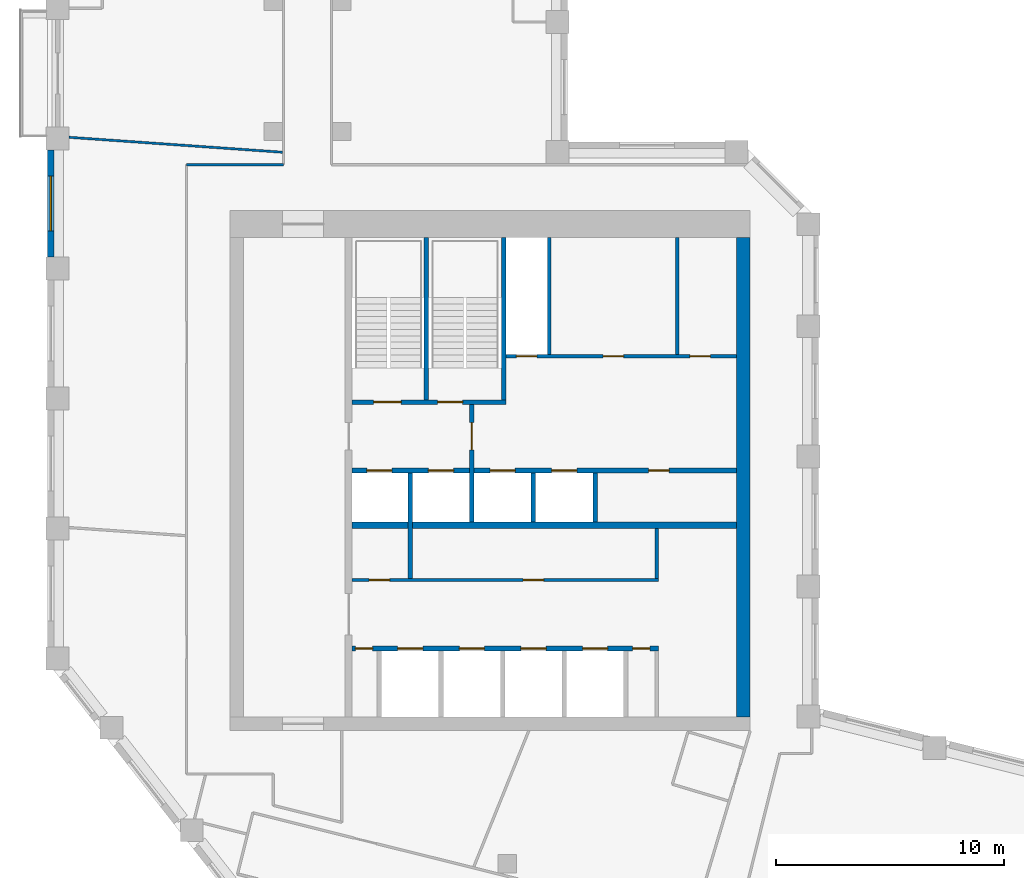
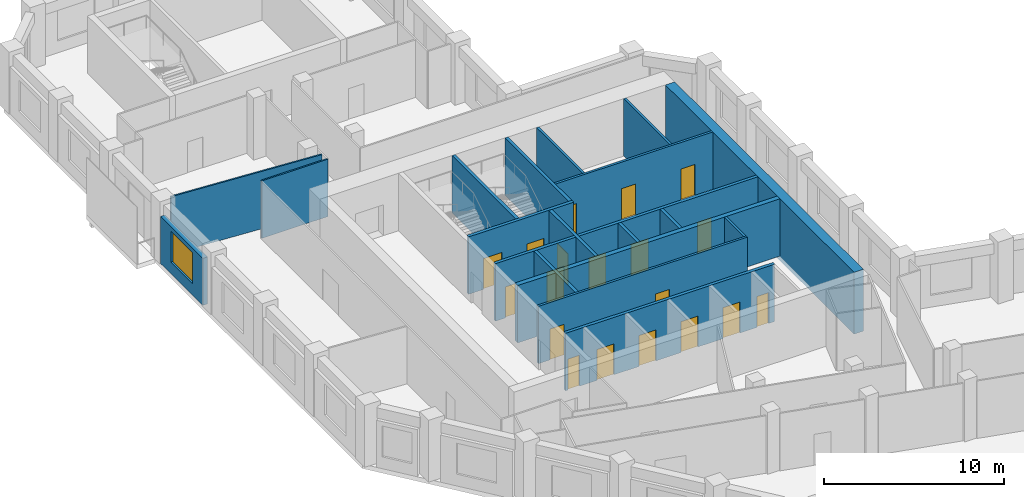
# One storey, part 5 of 9: 19 doors, 19 walls, 1 window, 20 openings.
"""IFC4 building model written with IfcOpenShell, lengths in metres."""

import ifcopenshell
import ifcopenshell.guid

model = None  # the IFC model being written
_history = None  # IfcOwnerHistory: only IFC2X3 demands one
_inside = {}  # id of a spatial element -> (the spatial element, [elements in it])
_under = {}  # id of a project, library or spatial element -> (it, [spatial elements below it])
_declared = {}  # id of a project -> (the project, [libraries it declares])
_typed = {}  # id of a type object -> (the type object, [elements of that type])
_made_of = {}  # id of a material, layer set ... -> (it, [elements and type objects made of it])


def new_model(schema):
    """Start an empty IFC model of exactly this schema.

    Asked for "IFC4X3", IfcOpenShell would pick the latest addendum, in which some entities
    have other attributes; the version numbers below select the first issue.
    IFC2X3 requires an IfcOwnerHistory on every rooted entity: one is made here for all.
    """
    global model, _history
    if schema == "IFC4X3":
        model = ifcopenshell.file(schema_version=(4, 3, 0, 0))
    else:
        model = ifcopenshell.file(schema=schema)
    _inside.clear()
    _under.clear()
    _declared.clear()
    _typed.clear()
    _made_of.clear()
    _history = None
    if model.schema == "IFC2X3":
        org = make("IfcOrganization", Name="unknown")
        user = make(
            "IfcPersonAndOrganization",
            ThePerson=make("IfcPerson", FamilyName="unknown"),
            TheOrganization=org,
        )
        app = make(
            "IfcApplication",
            ApplicationDeveloper=org,
            Version="unknown",
            ApplicationFullName="unknown",
            ApplicationIdentifier="unknown",
        )
        _history = make(
            "IfcOwnerHistory",
            OwningUser=user,
            OwningApplication=app,
            ChangeAction="ADDED",
            CreationDate=0,
        )
    return model


def make(cls, **values):
    """One entity of the class cls with the attributes given. An attribute that is None is left unset."""
    return model.create_entity(
        cls, **{name: value for name, value in values.items() if value is not None}
    )


def rooted(cls, **values):
    """An entity with a GlobalId (a new one), such as an element, a storey or a relation."""
    return make(cls, GlobalId=ifcopenshell.guid.new(), OwnerHistory=_history, **values)


def si_unit(unit_type, name, prefix=None):
    """IfcSIUnit, for example si_unit("LENGTHUNIT", "METRE", prefix="MILLI")."""
    return make("IfcSIUnit", UnitType=unit_type, Prefix=prefix, Name=name)


def assignment(units):
    """IfcUnitAssignment: the units of a project."""
    return None if units is None else make("IfcUnitAssignment", Units=units)


def point(xyz):
    """IfcCartesianPoint."""
    return None if xyz is None else make("IfcCartesianPoint", Coordinates=xyz)


def direction(xyz):
    """IfcDirection."""
    return None if xyz is None else make("IfcDirection", DirectionRatios=xyz)


def frame(location, z_axis=None, x_axis=None):
    """IfcAxis2Placement3D, a coordinate frame: its origin and axes. An axis left out is left unset."""
    return make(
        "IfcAxis2Placement3D",
        Location=point(location),
        Axis=direction(z_axis),
        RefDirection=direction(x_axis),
    )


def frame_2d(location, x_axis=None):
    """IfcAxis2Placement2D, a coordinate frame in the plane: its origin and x axis."""
    return make(
        "IfcAxis2Placement2D", Location=point(location), RefDirection=direction(x_axis)
    )


def origin():
    """The frame at (0, 0, 0) with its axes left unset."""
    return frame((0.0, 0.0, 0.0))


def place(relative_to, where):
    """IfcLocalPlacement: puts the frame where relative to a parent placement (None: the world)."""
    return make(
        "IfcLocalPlacement", PlacementRelTo=relative_to, RelativePlacement=where
    )


def context(
    kind, dimensions, precision=None, world=None, true_north=None, identifier=None
):
    """IfcGeometricRepresentationContext, for example the 3D "Model" context."""
    return make(
        "IfcGeometricRepresentationContext",
        ContextIdentifier=identifier,
        ContextType=kind,
        CoordinateSpaceDimension=dimensions,
        Precision=precision,
        WorldCoordinateSystem=world,
        TrueNorth=true_north,
    )


def subcontext(parent, identifier, kind, view, scale=None):
    """IfcGeometricRepresentationSubContext, for example "Body" below "Model"."""
    return make(
        "IfcGeometricRepresentationSubContext",
        ContextIdentifier=identifier,
        ContextType=kind,
        ParentContext=parent,
        TargetScale=scale,
        TargetView=view,
    )


def project(units=None, contexts=None):
    """IfcProject with its units and contexts."""
    return rooted(
        "IfcProject",
        Name="project",
        RepresentationContexts=contexts,
        UnitsInContext=assignment(units),
    )


def spatial(cls, under=None, at=None, **own):
    """A site, building, storey or space (cls), placed at a placement, below another one or the project."""
    s = rooted(cls, ObjectPlacement=at, **own)
    if under is not None:
        _under.setdefault(under.id(), (under, []))[1].append(s)
    return s


def profile(cls, at=None, kind="AREA", **sizes):
    """A parametric profile (cls). Its sizes go by their IFC names, for example OverallWidth=200.0."""
    return make(cls, ProfileType=kind, Position=at, **sizes)


def rectangle(**sizes):
    """IfcRectangleProfileDef."""
    return profile("IfcRectangleProfileDef", **sizes)


def extrude(swept, where, along, depth):
    """IfcExtrudedAreaSolid: the profile swept, set in the frame where, extruded along a direction by depth."""
    return make(
        "IfcExtrudedAreaSolid",
        SweptArea=swept,
        Position=where,
        ExtrudedDirection=direction(along),
        Depth=depth,
    )


def shape(context_of_items, identifier, shape_type, items):
    """IfcShapeRepresentation: the items that make up one representation, for example the "Body"."""
    return make(
        "IfcShapeRepresentation",
        ContextOfItems=context_of_items,
        RepresentationIdentifier=identifier,
        RepresentationType=shape_type,
        Items=items,
    )


def material(Name=None, Category=None):
    """IfcMaterial."""
    return make("IfcMaterial", Name=Name, Category=Category)


def layer(
    of_material, thickness, ventilated=None, Name=None, Category=None, Priority=None
):
    """IfcMaterialLayer: one layer of a wall or slab, of a material (None: an air gap)."""
    return make(
        "IfcMaterialLayer",
        Material=of_material,
        LayerThickness=thickness,
        IsVentilated=ventilated,
        Name=Name,
        Category=Category,
        Priority=Priority,
    )


def layer_set(layers, Name=None):
    """IfcMaterialLayerSet."""
    return make("IfcMaterialLayerSet", MaterialLayers=layers, LayerSetName=Name)


def made_of(thing, what):
    """Note that an element or type object is made of a material, layer set ...; save() writes the relation."""
    if what is not None:
        _made_of.setdefault(what.id(), (what, []))[1].append(thing)
    return thing


def type_object(cls, material=None, **own):
    """A type object (cls), such as IfcWallType, which elements share."""
    return made_of(rooted(cls, **own), material)


def element(
    cls,
    number,
    at=None,
    inside=None,
    cuts=None,
    type_object=None,
    material=None,
    context=None,
    identifier="Body",
    shape_type=None,
    held_by="IfcProductDefinitionShape",
    body=None,
    shapes=None,
    **own,
):
    """One element of the class cls, such as IfcWall. Its Tag is "e" and its number.

    at: its placement. inside: the storey or other place that contains it. cuts: it is an
    opening in that element (IfcRelVoidsElement). A single representation is given by context,
    identifier, shape_type and body (its items); several are given by shapes. held_by: the class
    of the entity that holds the representations. save() writes the other relations.
    """
    e = rooted(cls, Tag="e%d" % number, ObjectPlacement=at, **own)
    if body is not None:
        shapes = [shape(context, identifier, shape_type, body)]
    if shapes is not None:
        e.Representation = make(held_by, Representations=shapes)
    if inside is not None:
        _inside.setdefault(inside.id(), (inside, []))[1].append(e)
    if cuts is not None:
        rooted(
            "IfcRelVoidsElement", RelatingBuildingElement=cuts, RelatedOpeningElement=e
        )
    if type_object is not None:
        _typed.setdefault(type_object.id(), (type_object, []))[1].append(e)
    return made_of(e, material)


def fill(opening, filler):
    """IfcRelFillsElement: the door or window that sits in an opening."""
    return rooted(
        "IfcRelFillsElement",
        RelatingOpeningElement=opening,
        RelatedBuildingElement=filler,
    )


def aggregate(whole, parts):
    """IfcRelAggregates: a whole, such as a stair, and the parts it consists of."""
    return rooted("IfcRelAggregates", RelatingObject=whole, RelatedObjects=parts)


def save(model, path):
    """Write the relations noted so far, then the file.

    IfcRelAggregates (storeys below a building ...), IfcRelContainedInSpatialStructure (elements
    in a storey), IfcRelDefinesByType, IfcRelAssociatesMaterial and IfcRelDeclares: one each for
    every whole, place, type object, material and project.
    """
    for whole, parts in _under.values():
        aggregate(whole, parts)
    for where, things in _inside.values():
        rooted(
            "IfcRelContainedInSpatialStructure",
            RelatedElements=things,
            RelatingStructure=where,
        )
    for kind, things in _typed.values():
        rooted("IfcRelDefinesByType", RelatedObjects=things, RelatingType=kind)
    for what, things in _made_of.values():
        rooted("IfcRelAssociatesMaterial", RelatedObjects=things, RelatingMaterial=what)
    for by, libraries in _declared.values():
        rooted("IfcRelDeclares", RelatingContext=by, RelatedDefinitions=libraries)
    model.write(path)


model = new_model("IFC4")

# Units and contexts
model_context = context("Model", 3, precision=1e-05, world=origin(), true_north=direction((0.0, 1.0)))
body_context = subcontext(model_context, "Body", "Model", "MODEL_VIEW")
ifc_project = project(units=[si_unit("LENGTHUNIT", "METRE"), si_unit("AREAUNIT", "SQUARE_METRE"), si_unit("VOLUMEUNIT", "CUBIC_METRE"), si_unit("PLANEANGLEUNIT", "RADIAN"), si_unit("MASSUNIT", "GRAM", prefix="KILO")], contexts=[model_context])

# Site, building, storey
site_placement = place(None, origin())
site = spatial("IfcSite", under=ifc_project, at=site_placement, CompositionType="ELEMENT")
building_placement = place(site_placement, origin())
building = spatial("IfcBuilding", under=site, at=building_placement, Name="Meshkara Civic Tower", CompositionType="ELEMENT")
storey_placement = place(building_placement, frame((0.0, 0.0, 310.800048828125)))
storey = spatial("IfcBuildingStorey", under=building, at=storey_placement, Name="L71", CompositionType="ELEMENT", Elevation=310.800048828125)

# Wall, openings, doors
ifc_material_1 = material(Name="Blockwork", Category="masonry")
ifc_layer_1 = layer(ifc_material_1, 0.14990234375)
ifc_layer_set_1 = layer_set([ifc_layer_1], Name="Core partition 150")
wall_type_1 = type_object("IfcWallType", Name="Core partition 150", PredefinedType="PARTITIONING", material=ifc_layer_set_1)
wall_1_placement = place(storey_placement, frame((13.35009765625, 20.699951171875, 0.0), z_axis=(0.0, 0.0, 1.0), x_axis=(1.0, 0.0, 0.0)))
wall_1 = element("IfcWall", 1, at=wall_1_placement, inside=storey, type_object=wall_type_1, Name="L71-C006", PredefinedType="PARTITIONING", context=body_context, shape_type="SweptSolid", body=[
    extrude(rectangle(XDim=13.4248046875, YDim=0.14990234375, at=frame_2d((6.71240234375, 0.0))), origin(), (0.0, 0.0, 1.0), 3.89990234375),
])
opening_1_placement = place(wall_1_placement, frame((0.75, 0.0, 0.0)))
opening_1 = element("IfcOpeningElement", 2, at=opening_1_placement, cuts=wall_1, Name="Opening L71-K011", PredefinedType="OPENING", context=body_context, shape_type="SweptSolid", body=[
    extrude(rectangle(XDim=0.89990234375, YDim=2.10009765625, at=frame_2d((0.449951171875, 1.050048828125))), frame((0.0, 0.0849609375, 0.0), z_axis=(0.0, -1.0, 0.0), x_axis=(1.0, 0.0, 0.0)), (0.0, 0.0, 1.0), 0.169921875),
])
opening_2_placement = place(wall_1_placement, frame((7.5, 0.0, 0.0)))
opening_2 = element("IfcOpeningElement", 3, at=opening_2_placement, cuts=wall_1, Name="Opening L71-K012", PredefinedType="OPENING", context=body_context, shape_type="SweptSolid", body=[
    extrude(rectangle(XDim=0.89990234375, YDim=2.10009765625, at=frame_2d((0.449951171875, 1.050048828125))), frame((0.0, 0.0849609375, 0.0), z_axis=(0.0, -1.0, 0.0), x_axis=(1.0, 0.0, 0.0)), (0.0, 0.0, 1.0), 0.169921875),
])
ifc_material_2 = material(Name="Timber door leaf in steel frame", Category="steel")
door_type_1 = type_object("IfcDoorType", Name="Core room door 900", OperationType="SINGLE_SWING_LEFT", PredefinedType="DOOR", material=ifc_material_2)
door_1_placement = place(opening_1_placement, origin())
door_1 = element("IfcDoor", 4, at=door_1_placement, inside=storey, type_object=door_type_1, Name="L71-K011", OperationType="SINGLE_SWING_RIGHT", OverallHeight=2.10009765625, OverallWidth=0.89990234375, PredefinedType="DOOR", context=body_context, shape_type="SweptSolid", body=[
    extrude(rectangle(XDim=0.89990234375, YDim=2.10009765625, at=frame_2d((0.449951171875, 1.050048828125))), frame((0.0, 0.02490234375, 0.0), z_axis=(0.0, -1.0, 0.0), x_axis=(1.0, 0.0, 0.0)), (0.0, 0.0, 1.0), 0.050048828125),
])
fill(opening_1, door_1)
door_2_placement = place(opening_2_placement, origin())
door_2 = element("IfcDoor", 5, at=door_2_placement, inside=storey, type_object=door_type_1, Name="L71-K012", OperationType="SINGLE_SWING_LEFT", OverallHeight=2.10009765625, OverallWidth=0.89990234375, PredefinedType="DOOR", context=body_context, shape_type="SweptSolid", body=[
    extrude(rectangle(XDim=0.89990234375, YDim=2.10009765625, at=frame_2d((0.449951171875, 1.050048828125))), frame((0.0, 0.02490234375, 0.0), z_axis=(0.0, -1.0, 0.0), x_axis=(1.0, 0.0, 0.0)), (0.0, 0.0, 1.0), 0.050048828125),
])
fill(opening_2, door_2)

wall_2_placement = place(storey_placement, frame((20.10009765625, 30.5, 0.0), z_axis=(0.0, 0.0, 1.0), x_axis=(1.0, 0.0, 0.0)))
wall_2 = element("IfcWall", 6, at=wall_2_placement, inside=storey, type_object=wall_type_1, Name="L71-C010", PredefinedType="PARTITIONING", context=body_context, shape_type="SweptSolid", body=[
    extrude(rectangle(XDim=10.099853515625, YDim=0.14990234375, at=frame_2d((5.0498046875, 0.0))), origin(), (0.0, 0.0, 1.0), 3.89990234375),
])
opening_3_placement = place(wall_2_placement, frame((0.449951171875, 0.0, 0.0)))
opening_3 = element("IfcOpeningElement", 7, at=opening_3_placement, cuts=wall_2, Name="Opening L71-K014", PredefinedType="OPENING", context=body_context, shape_type="SweptSolid", body=[
    extrude(rectangle(XDim=0.89990234375, YDim=2.10009765625, at=frame_2d((0.449951171875, 1.050048828125))), frame((0.0, 0.0849609375, 0.0), z_axis=(0.0, -1.0, 0.0), x_axis=(1.0, 0.0, 0.0)), (0.0, 0.0, 1.0), 0.169921875),
])
opening_4_placement = place(wall_2_placement, frame((4.25, 0.0, 0.0)))
opening_4 = element("IfcOpeningElement", 8, at=opening_4_placement, cuts=wall_2, Name="Opening L71-K015", PredefinedType="OPENING", context=body_context, shape_type="SweptSolid", body=[
    extrude(rectangle(XDim=0.89990234375, YDim=2.10009765625, at=frame_2d((0.449951171875, 1.050048828125))), frame((0.0, 0.0849609375, 0.0), z_axis=(0.0, -1.0, 0.0), x_axis=(1.0, 0.0, 0.0)), (0.0, 0.0, 1.0), 0.169921875),
])
opening_5_placement = place(wall_2_placement, frame((8.050048828125, 0.0, 0.0)))
opening_5 = element("IfcOpeningElement", 9, at=opening_5_placement, cuts=wall_2, Name="Opening L71-K016", PredefinedType="OPENING", context=body_context, shape_type="SweptSolid", body=[
    extrude(rectangle(XDim=0.89990234375, YDim=2.10009765625, at=frame_2d((0.449951171875, 1.050048828125))), frame((0.0, 0.0849609375, 0.0), z_axis=(0.0, -1.0, 0.0), x_axis=(1.0, 0.0, 0.0)), (0.0, 0.0, 1.0), 0.169921875),
])
door_3_placement = place(opening_4_placement, origin())
door_3 = element("IfcDoor", 10, at=door_3_placement, inside=storey, type_object=door_type_1, Name="L71-K015", OperationType="SINGLE_SWING_RIGHT", OverallHeight=2.10009765625, OverallWidth=0.89990234375, PredefinedType="DOOR", context=body_context, shape_type="SweptSolid", body=[
    extrude(rectangle(XDim=0.89990234375, YDim=2.10009765625, at=frame_2d((0.449951171875, 1.050048828125))), frame((0.0, 0.02490234375, 0.0), z_axis=(0.0, -1.0, 0.0), x_axis=(1.0, 0.0, 0.0)), (0.0, 0.0, 1.0), 0.050048828125),
])
fill(opening_4, door_3)
door_4_placement = place(opening_5_placement, origin())
door_4 = element("IfcDoor", 11, at=door_4_placement, inside=storey, type_object=door_type_1, Name="L71-K016", OperationType="SINGLE_SWING_RIGHT", OverallHeight=2.10009765625, OverallWidth=0.89990234375, PredefinedType="DOOR", context=body_context, shape_type="SweptSolid", body=[
    extrude(rectangle(XDim=0.89990234375, YDim=2.10009765625, at=frame_2d((0.449951171875, 1.050048828125))), frame((0.0, 0.02490234375, 0.0), z_axis=(0.0, -1.0, 0.0), x_axis=(1.0, 0.0, 0.0)), (0.0, 0.0, 1.0), 0.050048828125),
])
fill(opening_5, door_4)
ifc_material_3 = material(Name="Fire-rated door leaf in steel frame", Category="steel")
door_type_2 = type_object("IfcDoorType", Name="Riser door 900", OperationType="SINGLE_SWING_LEFT", PredefinedType="DOOR", material=ifc_material_3)
door_5_placement = place(opening_3_placement, origin())
door_5 = element("IfcDoor", 12, at=door_5_placement, inside=storey, type_object=door_type_2, Name="L71-K014", OperationType="SINGLE_SWING_RIGHT", OverallHeight=2.10009765625, OverallWidth=0.89990234375, PredefinedType="DOOR", context=body_context, shape_type="SweptSolid", body=[
    extrude(rectangle(XDim=0.89990234375, YDim=2.10009765625, at=frame_2d((0.449951171875, 1.050048828125))), frame((0.0, 0.02490234375, 0.0), z_axis=(0.0, -1.0, 0.0), x_axis=(1.0, 0.0, 0.0)), (0.0, 0.0, 1.0), 0.050048828125),
])
fill(opening_3, door_5)

# Walls
wall_3_placement = place(storey_placement, frame((22.0, 30.574951171875, 0.0), z_axis=(0.0, 0.0, 1.0), x_axis=(0.0, 1.0, 0.0)))
element("IfcWall", 13, at=wall_3_placement, inside=storey, type_object=wall_type_1, Name="L71-C020", PredefinedType="PARTITIONING", context=body_context, shape_type="SweptSolid", body=[
    extrude(rectangle(XDim=5.125, YDim=0.14990234375, at=frame_2d((2.5625, 0.0))), origin(), (0.0, 0.0, 1.0), 3.89990234375),
])
wall_4_placement = place(storey_placement, frame((26.699951171875, 20.77490234375, 0.0), z_axis=(0.0, 0.0, 1.0), x_axis=(0.0, 1.0, 0.0)))
element("IfcWall", 14, at=wall_4_placement, inside=storey, type_object=wall_type_1, Name="L71-C025", PredefinedType="PARTITIONING", context=body_context, shape_type="SweptSolid", body=[
    extrude(rectangle(XDim=2.175048828125, YDim=0.14990234375, at=frame_2d((1.08740234375, 0.0))), origin(), (0.0, 0.0, 1.0), 3.89990234375),
])
wall_5_placement = place(storey_placement, frame((27.60009765625, 30.574951171875, 0.0), z_axis=(0.0, 0.0, 1.0), x_axis=(0.0, 1.0, 0.0)))
element("IfcWall", 15, at=wall_5_placement, inside=storey, type_object=wall_type_1, Name="L71-C026", PredefinedType="PARTITIONING", context=body_context, shape_type="SweptSolid", body=[
    extrude(rectangle(XDim=5.125, YDim=0.14990234375, at=frame_2d((2.5625, 0.0))), origin(), (0.0, 0.0, 1.0), 3.89990234375),
])
ifc_material_4 = material(Name="Concrete C60", Category="concrete")
ifc_layer_2 = layer(ifc_material_4, 0.60009765625)
ifc_layer_set_2 = layer_set([ifc_layer_2], Name="Core ring wall 600 C60")
wall_type_2 = type_object("IfcWallType", Name="Core ring wall 600 C60", PredefinedType="SHEAR", material=ifc_layer_set_2)
wall_6_placement = place(storey_placement, frame((30.5, 14.699951171875, -0.300048828125), z_axis=(0.0, 0.0, 1.0), x_axis=(0.0, 1.0, 0.0)))
element("IfcWall", 16, at=wall_6_placement, inside=storey, type_object=wall_type_2, Name="L71-C004", PredefinedType="SHEAR", context=body_context, shape_type="SweptSolid", body=[
    extrude(rectangle(XDim=21.0, YDim=0.60009765625, at=frame_2d((10.5, 0.0))), origin(), (0.0, 0.0, 1.0), 4.199951171875),
])
ifc_material_5 = material(Name="Concrete C60", Category="concrete")
ifc_layer_3 = layer(ifc_material_5, 0.300048828125)
ifc_layer_set_3 = layer_set([ifc_layer_3], Name="Core shear wall 300 C60")
wall_type_3 = type_object("IfcWallType", Name="Core shear wall 300 C60", PredefinedType="SHEAR", material=ifc_layer_set_3)
wall_7_placement = place(storey_placement, frame((13.35009765625, 23.10009765625, 0.0), z_axis=(0.0, 0.0, 1.0), x_axis=(1.0, 0.0, 0.0)))
element("IfcWall", 17, at=wall_7_placement, inside=storey, type_object=wall_type_3, Name="L71-C007", PredefinedType="SHEAR", context=body_context, shape_type="SweptSolid", body=[
    extrude(rectangle(XDim=16.849853515625, YDim=0.300048828125, at=frame_2d((8.4248046875, 0.0))), origin(), (0.0, 0.0, 1.0), 3.89990234375),
])
ifc_material_6 = material(Name="Corridor wall 100")
ifc_layer_4 = layer(ifc_material_6, 0.10009765625)
ifc_layer_set_4 = layer_set([ifc_layer_4], Name="Corridor wall 100")
wall_type_4 = type_object("IfcWallType", Name="Corridor wall 100", PredefinedType="PARTITIONING", material=ifc_layer_set_4)
wall_8_placement = place(storey_placement, frame((10.35009765625, 38.89990234375, 0.0), z_axis=(0.0, 0.0, 1.0), x_axis=(-1.0, 0.0, 0.0)))
element("IfcWall", 18, at=wall_8_placement, inside=storey, type_object=wall_type_4, Name="L71-W011", PredefinedType="PARTITIONING", context=body_context, shape_type="SweptSolid", body=[
    extrude(rectangle(XDim=4.25, YDim=0.10009765625, at=frame_2d((2.125, 0.0))), origin(), (0.0, 0.0, 1.0), 3.89990234375),
])

# Wall, opening, window
ifc_material_7 = material(Name="Insulated infill panel with bronze anodised aluminium cladding", Category="aluminium")
ifc_layer_5 = layer(ifc_material_7, 0.300048828125)
ifc_layer_set_5 = layer_set([ifc_layer_5], Name="EXTERNAL INFILL WALL 300")
wall_type_5 = type_object("IfcWallType", Name="EXTERNAL INFILL WALL 300", PredefinedType="SOLIDWALL", material=ifc_layer_set_5)
wall_9_placement = place(storey_placement, frame((0.14990234375, 39.554931640625, 0.0), z_axis=(0.0, 0.0, 1.0), x_axis=(0.0, -1.0, 0.0)))
wall_9 = element("IfcWall", 19, at=wall_9_placement, inside=storey, type_object=wall_type_5, Name="External wall", PredefinedType="SOLIDWALL", context=body_context, shape_type="SweptSolid", body=[
    extrude(rectangle(XDim=4.699951171875, YDim=0.300048828125, at=frame_2d((2.35009765625, 0.0))), origin(), (0.0, 0.0, 1.0), 3.199951171875),
])
opening_6_placement = place(wall_9_placement, frame((1.14990234375, 0.0, 0.800048828125)))
opening_6 = element("IfcOpeningElement", 20, at=opening_6_placement, cuts=wall_9, Name="Opening W7", PredefinedType="OPENING", context=body_context, shape_type="SweptSolid", body=[
    extrude(rectangle(XDim=2.39990234375, YDim=2.10009765625, at=frame_2d((1.199951171875, 1.050048828125))), frame((0.0, 0.159912109375, 0.0), z_axis=(0.0, -1.0, 0.0), x_axis=(1.0, 0.0, 0.0)), (0.0, 0.0, 1.0), 0.320068359375),
])
ifc_material_8 = material(Name="Tinted double glazing", Category="glass")
window_type = type_object("IfcWindowType", Name="WINDOW 2400x2100", PartitioningType="DOUBLE_PANEL_VERTICAL", PredefinedType="WINDOW", material=ifc_material_8)
window_placement = place(opening_6_placement, origin())
window = element("IfcWindow", 21, at=window_placement, inside=storey, type_object=window_type, Name="Window", OverallHeight=2.10009765625, OverallWidth=2.39990234375, PartitioningType="DOUBLE_PANEL_VERTICAL", PredefinedType="WINDOW", context=body_context, shape_type="SweptSolid", body=[
    extrude(rectangle(XDim=2.39990234375, YDim=2.10009765625, at=frame_2d((1.199951171875, 1.050048828125))), frame((0.0, 0.030029296875, 0.0), z_axis=(0.0, -1.0, 0.0), x_axis=(1.0, 0.0, 0.0)), (0.0, 0.0, 1.0), 0.06005859375),
])
fill(opening_6, window)

# Wall
ifc_material_9 = material(Name="Partition 100")
ifc_layer_6 = layer(ifc_material_9, 0.10009765625)
ifc_layer_set_6 = layer_set([ifc_layer_6], Name="Partition 100")
wall_type_6 = type_object("IfcWallType", Name="Partition 100", PredefinedType="PARTITIONING", material=ifc_layer_set_6)
wall_10_placement = place(storey_placement, frame((10.297119140625, 39.447021484375, 0.0), z_axis=(0.0, 0.0, 1.0), x_axis=(-0.997560818082, 0.069802680657, 0.0)))
element("IfcWall", 22, at=wall_10_placement, inside=storey, type_object=wall_type_6, Name="L71-W045", PredefinedType="PARTITIONING", context=body_context, shape_type="SweptSolid", body=[
    extrude(rectangle(XDim=9.3701171875, YDim=0.10009765625, at=frame_2d((4.68505859375, 0.0))), origin(), (0.0, 0.0, 1.0), 3.89990234375),
])

# Wall, openings, doors
ifc_material_10 = material(Name="Concrete C40/50", Category="concrete")
ifc_layer_7 = layer(ifc_material_10, 0.199951171875)
ifc_layer_set_7 = layer_set([ifc_layer_7], Name="Shaft wall 200 C40/50")
wall_type_7 = type_object("IfcWallType", Name="Shaft wall 200 C40/50", PredefinedType="SOLIDWALL", material=ifc_layer_set_7)
wall_11_placement = place(storey_placement, frame((13.35009765625, 17.699951171875, 0.0), z_axis=(0.0, 0.0, 1.0), x_axis=(1.0, 0.0, 0.0)))
wall_11 = element("IfcWall", 23, at=wall_11_placement, inside=storey, type_object=wall_type_7, Name="L71-C005", PredefinedType="SOLIDWALL", context=body_context, shape_type="SweptSolid", body=[
    extrude(rectangle(XDim=13.4248046875, YDim=0.199951171875, at=frame_2d((6.71240234375, 0.0))), origin(), (0.0, 0.0, 1.0), 3.89990234375),
])
opening_7_placement = place(wall_11_placement, frame((2.0, 0.0, 0.0)))
opening_7 = element("IfcOpeningElement", 24, at=opening_7_placement, cuts=wall_11, Name="Opening L71-K001", PredefinedType="OPENING", context=body_context, shape_type="SweptSolid", body=[
    extrude(rectangle(XDim=1.10009765625, YDim=2.10009765625, at=frame_2d((0.550048828125, 1.050048828125))), frame((0.0, 0.10986328125, 0.0), z_axis=(0.0, -1.0, 0.0), x_axis=(1.0, 0.0, 0.0)), (0.0, 0.0, 1.0), 0.219970703125),
])
opening_8_placement = place(wall_11_placement, frame((4.699951171875, 0.0, 0.0)))
opening_8 = element("IfcOpeningElement", 25, at=opening_8_placement, cuts=wall_11, Name="Opening L71-K002", PredefinedType="OPENING", context=body_context, shape_type="SweptSolid", body=[
    extrude(rectangle(XDim=1.10009765625, YDim=2.10009765625, at=frame_2d((0.550048828125, 1.050048828125))), frame((0.0, 0.10986328125, 0.0), z_axis=(0.0, -1.0, 0.0), x_axis=(1.0, 0.0, 0.0)), (0.0, 0.0, 1.0), 0.219970703125),
])
opening_9_placement = place(wall_11_placement, frame((7.39990234375, 0.0, 0.0)))
opening_9 = element("IfcOpeningElement", 26, at=opening_9_placement, cuts=wall_11, Name="Opening L71-K003", PredefinedType="OPENING", context=body_context, shape_type="SweptSolid", body=[
    extrude(rectangle(XDim=1.10009765625, YDim=2.10009765625, at=frame_2d((0.550048828125, 1.050048828125))), frame((0.0, 0.10986328125, 0.0), z_axis=(0.0, -1.0, 0.0), x_axis=(1.0, 0.0, 0.0)), (0.0, 0.0, 1.0), 0.219970703125),
])
opening_10_placement = place(wall_11_placement, frame((10.10009765625, 0.0, 0.0)))
opening_10 = element("IfcOpeningElement", 27, at=opening_10_placement, cuts=wall_11, Name="Opening L71-K004", PredefinedType="OPENING", context=body_context, shape_type="SweptSolid", body=[
    extrude(rectangle(XDim=1.10009765625, YDim=2.10009765625, at=frame_2d((0.550048828125, 1.050048828125))), frame((0.0, 0.10986328125, 0.0), z_axis=(0.0, -1.0, 0.0), x_axis=(1.0, 0.0, 0.0)), (0.0, 0.0, 1.0), 0.219970703125),
])
opening_11_placement = place(wall_11_placement, frame((0.14990234375, 0.0, 0.0)))
opening_11 = element("IfcOpeningElement", 28, at=opening_11_placement, cuts=wall_11, Name="Opening L71-K009", PredefinedType="OPENING", context=body_context, shape_type="SweptSolid", body=[
    extrude(rectangle(XDim=0.75, YDim=2.10009765625, at=frame_2d((0.375, 1.050048828125))), frame((0.0, 0.10986328125, 0.0), z_axis=(0.0, -1.0, 0.0), x_axis=(1.0, 0.0, 0.0)), (0.0, 0.0, 1.0), 0.219970703125),
])
opening_12_placement = place(wall_11_placement, frame((12.300048828125, 0.0, 0.0)))
opening_12 = element("IfcOpeningElement", 29, at=opening_12_placement, cuts=wall_11, Name="Opening L71-K010", PredefinedType="OPENING", context=body_context, shape_type="SweptSolid", body=[
    extrude(rectangle(XDim=0.75, YDim=2.10009765625, at=frame_2d((0.375, 1.050048828125))), frame((0.0, 0.10986328125, 0.0), z_axis=(0.0, -1.0, 0.0), x_axis=(1.0, 0.0, 0.0)), (0.0, 0.0, 1.0), 0.219970703125),
])
ifc_material_11 = material(Name="Timber door leaf in steel frame", Category="steel")
door_type_3 = type_object("IfcDoorType", Name="Core room door 750", OperationType="SINGLE_SWING_LEFT", PredefinedType="DOOR", material=ifc_material_11)
door_6_placement = place(opening_11_placement, origin())
door_6 = element("IfcDoor", 30, at=door_6_placement, inside=storey, type_object=door_type_3, Name="L71-K009", OperationType="SINGLE_SWING_RIGHT", OverallHeight=2.10009765625, OverallWidth=0.75, PredefinedType="DOOR", context=body_context, shape_type="SweptSolid", body=[
    extrude(rectangle(XDim=0.75, YDim=2.10009765625, at=frame_2d((0.375, 1.050048828125))), frame((0.0, 0.02490234375, 0.0), z_axis=(0.0, -1.0, 0.0), x_axis=(1.0, 0.0, 0.0)), (0.0, 0.0, 1.0), 0.050048828125),
])
fill(opening_11, door_6)
door_7_placement = place(opening_12_placement, origin())
door_7 = element("IfcDoor", 31, at=door_7_placement, inside=storey, type_object=door_type_3, Name="L71-K010", OperationType="SINGLE_SWING_RIGHT", OverallHeight=2.10009765625, OverallWidth=0.75, PredefinedType="DOOR", context=body_context, shape_type="SweptSolid", body=[
    extrude(rectangle(XDim=0.75, YDim=2.10009765625, at=frame_2d((0.375, 1.050048828125))), frame((0.0, 0.02490234375, 0.0), z_axis=(0.0, -1.0, 0.0), x_axis=(1.0, 0.0, 0.0)), (0.0, 0.0, 1.0), 0.050048828125),
])
fill(opening_12, door_7)
ifc_material_12 = material(Name="Stainless steel landing door", Category="steel")
door_type_4 = type_object("IfcDoorType", Name="Lift landing door 1100", OperationType="SLIDING_TO_LEFT", PredefinedType="DOOR", material=ifc_material_12)
door_8_placement = place(opening_7_placement, origin())
door_8 = element("IfcDoor", 32, at=door_8_placement, inside=storey, type_object=door_type_4, Name="L71-K001", OperationType="SLIDING_TO_LEFT", OverallHeight=2.10009765625, OverallWidth=1.10009765625, PredefinedType="DOOR", context=body_context, shape_type="SweptSolid", body=[
    extrude(rectangle(XDim=1.10009765625, YDim=2.10009765625, at=frame_2d((0.550048828125, 1.050048828125))), frame((0.0, 0.02490234375, 0.0), z_axis=(0.0, -1.0, 0.0), x_axis=(1.0, 0.0, 0.0)), (0.0, 0.0, 1.0), 0.050048828125),
])
fill(opening_7, door_8)
door_9_placement = place(opening_8_placement, origin())
door_9 = element("IfcDoor", 33, at=door_9_placement, inside=storey, type_object=door_type_4, Name="L71-K002", OperationType="SLIDING_TO_LEFT", OverallHeight=2.10009765625, OverallWidth=1.10009765625, PredefinedType="DOOR", context=body_context, shape_type="SweptSolid", body=[
    extrude(rectangle(XDim=1.10009765625, YDim=2.10009765625, at=frame_2d((0.550048828125, 1.050048828125))), frame((0.0, 0.02490234375, 0.0), z_axis=(0.0, -1.0, 0.0), x_axis=(1.0, 0.0, 0.0)), (0.0, 0.0, 1.0), 0.050048828125),
])
fill(opening_8, door_9)
door_10_placement = place(opening_9_placement, origin())
door_10 = element("IfcDoor", 34, at=door_10_placement, inside=storey, type_object=door_type_4, Name="L71-K003", OperationType="SLIDING_TO_LEFT", OverallHeight=2.10009765625, OverallWidth=1.10009765625, PredefinedType="DOOR", context=body_context, shape_type="SweptSolid", body=[
    extrude(rectangle(XDim=1.10009765625, YDim=2.10009765625, at=frame_2d((0.550048828125, 1.050048828125))), frame((0.0, 0.02490234375, 0.0), z_axis=(0.0, -1.0, 0.0), x_axis=(1.0, 0.0, 0.0)), (0.0, 0.0, 1.0), 0.050048828125),
])
fill(opening_9, door_10)
door_11_placement = place(opening_10_placement, origin())
door_11 = element("IfcDoor", 35, at=door_11_placement, inside=storey, type_object=door_type_4, Name="L71-K004", OperationType="SLIDING_TO_LEFT", OverallHeight=2.10009765625, OverallWidth=1.10009765625, PredefinedType="DOOR", context=body_context, shape_type="SweptSolid", body=[
    extrude(rectangle(XDim=1.10009765625, YDim=2.10009765625, at=frame_2d((0.550048828125, 1.050048828125))), frame((0.0, 0.02490234375, 0.0), z_axis=(0.0, -1.0, 0.0), x_axis=(1.0, 0.0, 0.0)), (0.0, 0.0, 1.0), 0.050048828125),
])
fill(opening_10, door_11)

wall_12_placement = place(storey_placement, frame((13.35009765625, 25.5, 0.0), z_axis=(0.0, 0.0, 1.0), x_axis=(1.0, 0.0, 0.0)))
wall_12 = element("IfcWall", 36, at=wall_12_placement, inside=storey, type_object=wall_type_7, Name="L71-C008", PredefinedType="SOLIDWALL", context=body_context, shape_type="SweptSolid", body=[
    extrude(rectangle(XDim=16.849853515625, YDim=0.199951171875, at=frame_2d((8.4248046875, 0.0))), origin(), (0.0, 0.0, 1.0), 3.89990234375),
])
opening_13_placement = place(wall_12_placement, frame((0.64990234375, 0.0, 0.0)))
opening_13 = element("IfcOpeningElement", 37, at=opening_13_placement, cuts=wall_12, Name="Opening L71-K005", PredefinedType="OPENING", context=body_context, shape_type="SweptSolid", body=[
    extrude(rectangle(XDim=1.10009765625, YDim=2.10009765625, at=frame_2d((0.550048828125, 1.050048828125))), frame((0.0, 0.10986328125, 0.0), z_axis=(0.0, -1.0, 0.0), x_axis=(1.0, 0.0, 0.0)), (0.0, 0.0, 1.0), 0.219970703125),
])
opening_14_placement = place(wall_12_placement, frame((3.35009765625, 0.0, 0.0)))
opening_14 = element("IfcOpeningElement", 38, at=opening_14_placement, cuts=wall_12, Name="Opening L71-K006", PredefinedType="OPENING", context=body_context, shape_type="SweptSolid", body=[
    extrude(rectangle(XDim=1.10009765625, YDim=2.10009765625, at=frame_2d((0.550048828125, 1.050048828125))), frame((0.0, 0.10986328125, 0.0), z_axis=(0.0, -1.0, 0.0), x_axis=(1.0, 0.0, 0.0)), (0.0, 0.0, 1.0), 0.219970703125),
])
opening_15_placement = place(wall_12_placement, frame((6.050048828125, 0.0, 0.0)))
opening_15 = element("IfcOpeningElement", 39, at=opening_15_placement, cuts=wall_12, Name="Opening L71-K007", PredefinedType="OPENING", context=body_context, shape_type="SweptSolid", body=[
    extrude(rectangle(XDim=1.10009765625, YDim=2.10009765625, at=frame_2d((0.550048828125, 1.050048828125))), frame((0.0, 0.10986328125, 0.0), z_axis=(0.0, -1.0, 0.0), x_axis=(1.0, 0.0, 0.0)), (0.0, 0.0, 1.0), 0.219970703125),
])
opening_16_placement = place(wall_12_placement, frame((8.75, 0.0, 0.0)))
opening_16 = element("IfcOpeningElement", 40, at=opening_16_placement, cuts=wall_12, Name="Opening L71-K008", PredefinedType="OPENING", context=body_context, shape_type="SweptSolid", body=[
    extrude(rectangle(XDim=1.10009765625, YDim=2.10009765625, at=frame_2d((0.550048828125, 1.050048828125))), frame((0.0, 0.10986328125, 0.0), z_axis=(0.0, -1.0, 0.0), x_axis=(1.0, 0.0, 0.0)), (0.0, 0.0, 1.0), 0.219970703125),
])
opening_17_placement = place(wall_12_placement, frame((13.0, 0.0, 0.0)))
opening_17 = element("IfcOpeningElement", 41, at=opening_17_placement, cuts=wall_12, Name="Opening L71-K013", PredefinedType="OPENING", context=body_context, shape_type="SweptSolid", body=[
    extrude(rectangle(XDim=0.89990234375, YDim=2.10009765625, at=frame_2d((0.449951171875, 1.050048828125))), frame((0.0, 0.10986328125, 0.0), z_axis=(0.0, -1.0, 0.0), x_axis=(1.0, 0.0, 0.0)), (0.0, 0.0, 1.0), 0.219970703125),
])
door_12_placement = place(opening_17_placement, origin())
door_12 = element("IfcDoor", 42, at=door_12_placement, inside=storey, type_object=door_type_1, Name="L71-K013", OperationType="SINGLE_SWING_LEFT", OverallHeight=2.10009765625, OverallWidth=0.89990234375, PredefinedType="DOOR", context=body_context, shape_type="SweptSolid", body=[
    extrude(rectangle(XDim=0.89990234375, YDim=2.10009765625, at=frame_2d((0.449951171875, 1.050048828125))), frame((0.0, 0.02490234375, 0.0), z_axis=(0.0, -1.0, 0.0), x_axis=(1.0, 0.0, 0.0)), (0.0, 0.0, 1.0), 0.050048828125),
])
fill(opening_17, door_12)
door_13_placement = place(opening_13_placement, origin())
door_13 = element("IfcDoor", 43, at=door_13_placement, inside=storey, type_object=door_type_4, Name="L71-K005", OperationType="SLIDING_TO_LEFT", OverallHeight=2.10009765625, OverallWidth=1.10009765625, PredefinedType="DOOR", context=body_context, shape_type="SweptSolid", body=[
    extrude(rectangle(XDim=1.10009765625, YDim=2.10009765625, at=frame_2d((0.550048828125, 1.050048828125))), frame((0.0, 0.02490234375, 0.0), z_axis=(0.0, -1.0, 0.0), x_axis=(1.0, 0.0, 0.0)), (0.0, 0.0, 1.0), 0.050048828125),
])
fill(opening_13, door_13)
door_14_placement = place(opening_14_placement, origin())
door_14 = element("IfcDoor", 44, at=door_14_placement, inside=storey, type_object=door_type_4, Name="L71-K006", OperationType="SLIDING_TO_LEFT", OverallHeight=2.10009765625, OverallWidth=1.10009765625, PredefinedType="DOOR", context=body_context, shape_type="SweptSolid", body=[
    extrude(rectangle(XDim=1.10009765625, YDim=2.10009765625, at=frame_2d((0.550048828125, 1.050048828125))), frame((0.0, 0.02490234375, 0.0), z_axis=(0.0, -1.0, 0.0), x_axis=(1.0, 0.0, 0.0)), (0.0, 0.0, 1.0), 0.050048828125),
])
fill(opening_14, door_14)
door_15_placement = place(opening_15_placement, origin())
door_15 = element("IfcDoor", 45, at=door_15_placement, inside=storey, type_object=door_type_4, Name="L71-K007", OperationType="SLIDING_TO_LEFT", OverallHeight=2.10009765625, OverallWidth=1.10009765625, PredefinedType="DOOR", context=body_context, shape_type="SweptSolid", body=[
    extrude(rectangle(XDim=1.10009765625, YDim=2.10009765625, at=frame_2d((0.550048828125, 1.050048828125))), frame((0.0, 0.02490234375, 0.0), z_axis=(0.0, -1.0, 0.0), x_axis=(1.0, 0.0, 0.0)), (0.0, 0.0, 1.0), 0.050048828125),
])
fill(opening_15, door_15)
door_16_placement = place(opening_16_placement, origin())
door_16 = element("IfcDoor", 46, at=door_16_placement, inside=storey, type_object=door_type_4, Name="L71-K008", OperationType="SLIDING_TO_LEFT", OverallHeight=2.10009765625, OverallWidth=1.10009765625, PredefinedType="DOOR", context=body_context, shape_type="SweptSolid", body=[
    extrude(rectangle(XDim=1.10009765625, YDim=2.10009765625, at=frame_2d((0.550048828125, 1.050048828125))), frame((0.0, 0.02490234375, 0.0), z_axis=(0.0, -1.0, 0.0), x_axis=(1.0, 0.0, 0.0)), (0.0, 0.0, 1.0), 0.050048828125),
])
fill(opening_16, door_16)

# Wall
wall_13_placement = place(storey_placement, frame((15.89990234375, 20.77490234375, 0.0), z_axis=(0.0, 0.0, 1.0), x_axis=(0.0, 1.0, 0.0)))
element("IfcWall", 47, at=wall_13_placement, inside=storey, type_object=wall_type_7, Name="L71-C013", PredefinedType="SOLIDWALL", context=body_context, shape_type="SweptSolid", body=[
    extrude(rectangle(XDim=4.625, YDim=0.199951171875, at=frame_2d((2.3125, 0.0))), origin(), (0.0, 0.0, 1.0), 3.89990234375),
])

# Wall, opening, door
wall_14_placement = place(storey_placement, frame((18.60009765625, 23.25, 0.0), z_axis=(0.0, 0.0, 1.0), x_axis=(0.0, 1.0, 0.0)))
wall_14 = element("IfcWall", 48, at=wall_14_placement, inside=storey, type_object=wall_type_7, Name="L71-C016", PredefinedType="SOLIDWALL", context=body_context, shape_type="SweptSolid", body=[
    extrude(rectangle(XDim=5.14990234375, YDim=0.199951171875, at=frame_2d((2.574951171875, 0.0))), origin(), (0.0, 0.0, 1.0), 3.89990234375),
])
opening_18_placement = place(wall_14_placement, frame((3.14990234375, 0.0, 0.0)))
opening_18 = element("IfcOpeningElement", 49, at=opening_18_placement, cuts=wall_14, Name="Opening L71-K021", PredefinedType="OPENING", context=body_context, shape_type="SweptSolid", body=[
    extrude(rectangle(XDim=1.199951171875, YDim=2.10009765625, at=frame_2d((0.60009765625, 1.050048828125))), frame((0.0, 0.10986328125, 0.0), z_axis=(0.0, -1.0, 0.0), x_axis=(1.0, 0.0, 0.0)), (0.0, 0.0, 1.0), 0.219970703125),
])
ifc_material_13 = material(Name="Fire-rated door leaf in steel frame", Category="steel")
door_type_5 = type_object("IfcDoorType", Name="Fire-fighting lobby door 1200 EI 120", OperationType="SINGLE_SWING_LEFT", PredefinedType="DOOR", material=ifc_material_13)
door_17_placement = place(opening_18_placement, origin())
door_17 = element("IfcDoor", 50, at=door_17_placement, inside=storey, type_object=door_type_5, Name="L71-K021", OperationType="SINGLE_SWING_RIGHT", OverallHeight=2.10009765625, OverallWidth=1.199951171875, PredefinedType="DOOR", context=body_context, shape_type="SweptSolid", body=[
    extrude(rectangle(XDim=1.199951171875, YDim=2.10009765625, at=frame_2d((0.60009765625, 1.050048828125))), frame((0.0, 0.02490234375, 0.0), z_axis=(0.0, -1.0, 0.0), x_axis=(1.0, 0.0, 0.0)), (0.0, 0.0, 1.0), 0.050048828125),
])
fill(opening_18, door_17)

# Walls
for number, where, z_axis, x_axis, name in (
    (51, (21.300048828125, 23.25, 0.0), (0.0, 0.0, 1.0), (0.0, 1.0, 0.0), "L71-C019"),
    (52, (24.0, 23.25, 0.0), (0.0, 0.0, 1.0), (0.0, 1.0, 0.0), "L71-C022"),
):
    element("IfcWall", number, at=place(storey_placement, frame(where, z_axis=z_axis, x_axis=x_axis)), inside=storey, type_object=wall_type_7, Name=name, PredefinedType="SOLIDWALL", context=body_context, shape_type="SweptSolid", body=[
        extrude(rectangle(XDim=2.14990234375, YDim=0.199951171875, at=frame_2d((1.074951171875, 0.0))), origin(), (0.0, 0.0, 1.0), 3.89990234375),
    ])

# Wall, openings, doors
ifc_material_14 = material(Name="Concrete C40/50", Category="concrete")
ifc_layer_8 = layer(ifc_material_14, 0.199951171875)
ifc_layer_set_8 = layer_set([ifc_layer_8], Name="Stair enclosure wall 200 C40/50")
wall_type_8 = type_object("IfcWallType", Name="Stair enclosure wall 200 C40/50", PredefinedType="SOLIDWALL", material=ifc_layer_set_8)
wall_15_placement = place(storey_placement, frame((13.35009765625, 28.5, 0.0), z_axis=(0.0, 0.0, 1.0), x_axis=(1.0, 0.0, 0.0)))
wall_15 = element("IfcWall", 53, at=wall_15_placement, inside=storey, type_object=wall_type_8, Name="L71-C009", PredefinedType="SOLIDWALL", context=body_context, shape_type="SweptSolid", body=[
    extrude(rectangle(XDim=6.75, YDim=0.199951171875, at=frame_2d((3.375, 0.0))), origin(), (0.0, 0.0, 1.0), 3.89990234375),
])
opening_19_placement = place(wall_15_placement, frame((0.949951171875, 0.0, 0.0)))
opening_19 = element("IfcOpeningElement", 54, at=opening_19_placement, cuts=wall_15, Name="Opening L71-K017", PredefinedType="OPENING", context=body_context, shape_type="SweptSolid", body=[
    extrude(rectangle(XDim=1.199951171875, YDim=2.10009765625, at=frame_2d((0.60009765625, 1.050048828125))), frame((0.0, 0.10986328125, 0.0), z_axis=(0.0, -1.0, 0.0), x_axis=(1.0, 0.0, 0.0)), (0.0, 0.0, 1.0), 0.219970703125),
])
opening_20_placement = place(wall_15_placement, frame((3.75, 0.0, 0.0)))
opening_20 = element("IfcOpeningElement", 55, at=opening_20_placement, cuts=wall_15, Name="Opening L71-K018", PredefinedType="OPENING", context=body_context, shape_type="SweptSolid", body=[
    extrude(rectangle(XDim=1.10009765625, YDim=2.10009765625, at=frame_2d((0.550048828125, 1.050048828125))), frame((0.0, 0.10986328125, 0.0), z_axis=(0.0, -1.0, 0.0), x_axis=(1.0, 0.0, 0.0)), (0.0, 0.0, 1.0), 0.219970703125),
])
ifc_material_15 = material(Name="Fire-rated door leaf in steel frame", Category="steel")
door_type_6 = type_object("IfcDoorType", Name="Stair door 1100 EI 120", OperationType="SINGLE_SWING_LEFT", PredefinedType="DOOR", material=ifc_material_15)
door_18_placement = place(opening_20_placement, origin())
door_18 = element("IfcDoor", 56, at=door_18_placement, inside=storey, type_object=door_type_6, Name="L71-K018", OperationType="SINGLE_SWING_LEFT", OverallHeight=2.10009765625, OverallWidth=1.10009765625, PredefinedType="DOOR", context=body_context, shape_type="SweptSolid", body=[
    extrude(rectangle(XDim=1.10009765625, YDim=2.10009765625, at=frame_2d((0.550048828125, 1.050048828125))), frame((0.0, 0.02490234375, 0.0), z_axis=(0.0, -1.0, 0.0), x_axis=(1.0, 0.0, 0.0)), (0.0, 0.0, 1.0), 0.050048828125),
])
fill(opening_20, door_18)
ifc_material_16 = material(Name="Fire-rated door leaf in steel frame", Category="steel")
door_type_7 = type_object("IfcDoorType", Name="Stair door 1200 EI 120", OperationType="SINGLE_SWING_LEFT", PredefinedType="DOOR", material=ifc_material_16)
door_19_placement = place(opening_19_placement, origin())
door_19 = element("IfcDoor", 57, at=door_19_placement, inside=storey, type_object=door_type_7, Name="L71-K017", OperationType="SINGLE_SWING_RIGHT", OverallHeight=2.10009765625, OverallWidth=1.199951171875, PredefinedType="DOOR", context=body_context, shape_type="SweptSolid", body=[
    extrude(rectangle(XDim=1.199951171875, YDim=2.10009765625, at=frame_2d((0.60009765625, 1.050048828125))), frame((0.0, 0.02490234375, 0.0), z_axis=(0.0, -1.0, 0.0), x_axis=(1.0, 0.0, 0.0)), (0.0, 0.0, 1.0), 0.050048828125),
])
fill(opening_19, door_19)

# Walls
for number, where, z_axis, x_axis, name in (
    (58, (16.60009765625, 28.60009765625, 0.0), (0.0, 0.0, 1.0), (0.0, 1.0, 0.0), "L71-C014"),
    (59, (20.0, 28.60009765625, 0.0), (0.0, 0.0, 1.0), (0.0, 1.0, 0.0), "L71-C018"),
):
    element("IfcWall", number, at=place(storey_placement, frame(where, z_axis=z_axis, x_axis=x_axis)), inside=storey, type_object=wall_type_8, Name=name, PredefinedType="SOLIDWALL", context=body_context, shape_type="SweptSolid", body=[
        extrude(rectangle(XDim=7.099853515625, YDim=0.199951171875, at=frame_2d((3.5498046875, 0.0))), origin(), (0.0, 0.0, 1.0), 3.89990234375),
    ])

save(model, "model.ifc")
